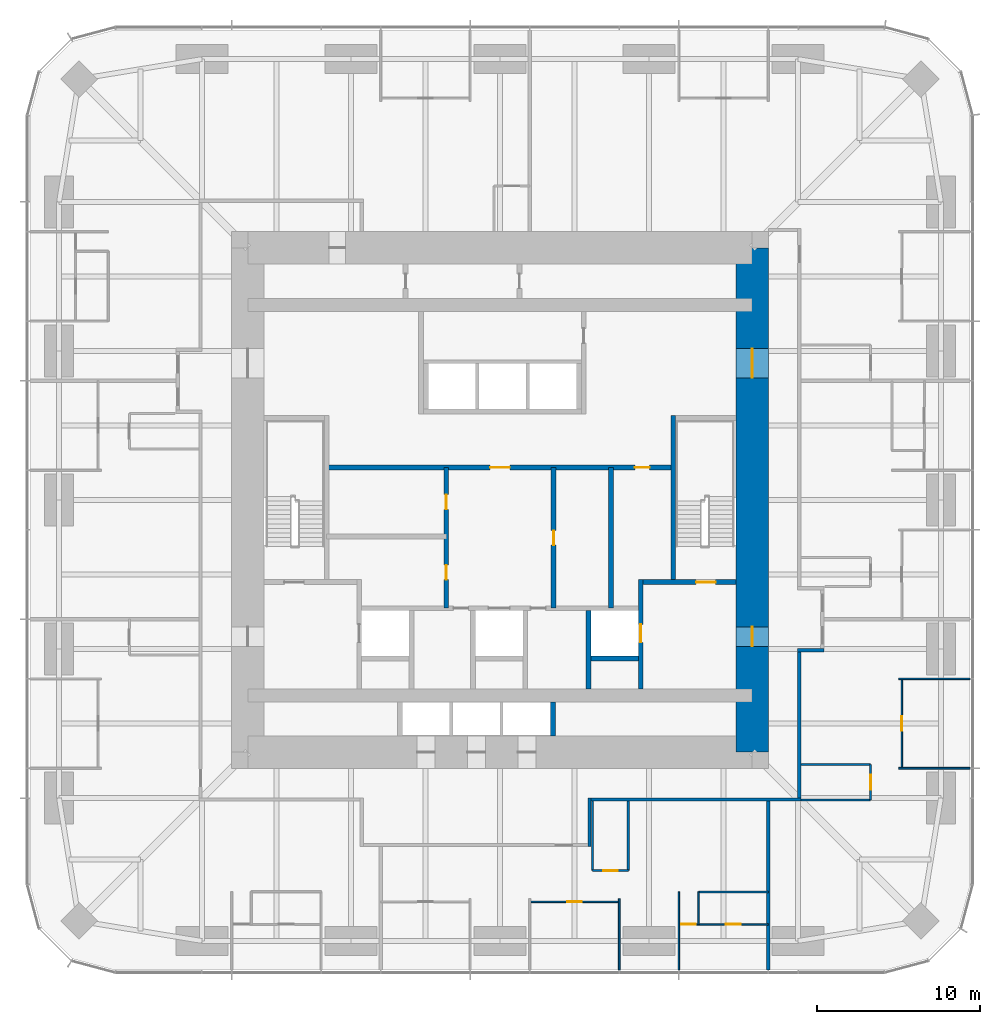
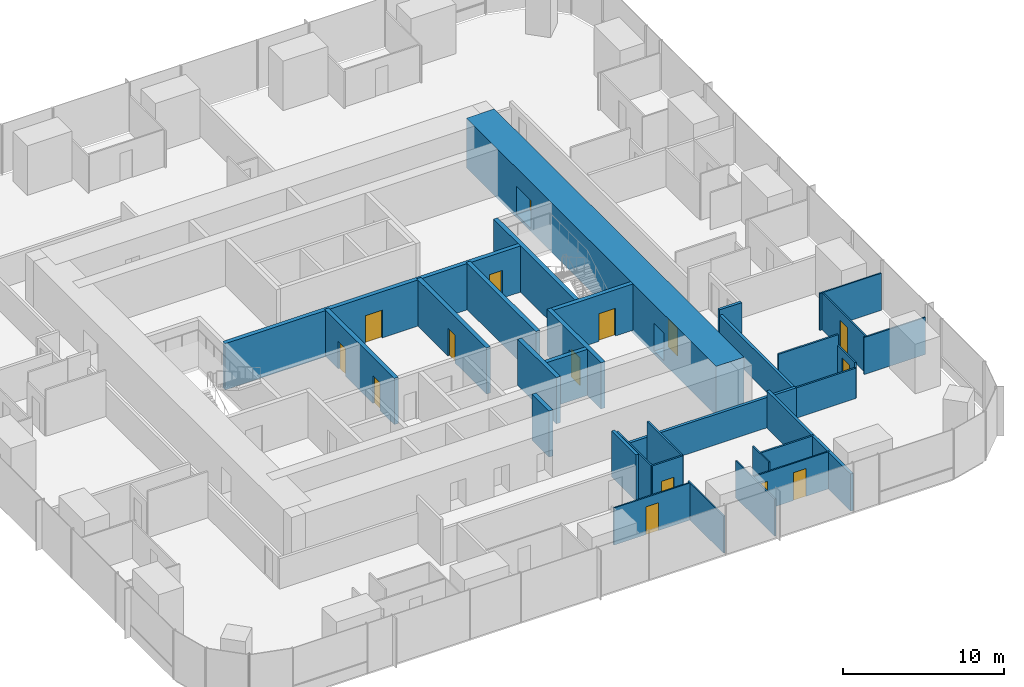
# One storey, part 10 of 13: 31 walls, 15 doors, 15 openings.
"""IFC4 building model written with IfcOpenShell, lengths in metres."""

from ifc_helpers import new_model, si_unit, direction, frame, frame_2d, origin, place, context, subcontext, project, spatial, rectangle, extrude, material, layer, layer_set, type_object, element, fill, save


model = new_model("IFC4")

# Units and contexts
model_context = context("Model", 3, precision=1e-05, world=origin(), true_north=direction((0.0, 1.0)))
body_context = subcontext(model_context, "Body", "Model", "MODEL_VIEW")
ifc_project = project(units=[si_unit("LENGTHUNIT", "METRE"), si_unit("AREAUNIT", "SQUARE_METRE"), si_unit("VOLUMEUNIT", "CUBIC_METRE"), si_unit("PLANEANGLEUNIT", "RADIAN"), si_unit("MASSUNIT", "GRAM", prefix="KILO")], contexts=[model_context])

# Site, building, storey
site_placement = place(None, origin())
site = spatial("IfcSite", under=ifc_project, at=site_placement, CompositionType="ELEMENT")
building_placement = place(site_placement, origin())
building = spatial("IfcBuilding", under=site, at=building_placement, Name="Khuree Lantern Residences", CompositionType="ELEMENT")
storey_placement = place(building_placement, frame((0.0, 0.0, 126.0)))
storey = spatial("IfcBuildingStorey", under=building, at=storey_placement, Name="L31", CompositionType="ELEMENT", Elevation=126.0)

# Wall
ifc_material_1 = material(Name="Moisture-resistant gypsum board on steel studs", Category="steel")
ifc_layer_1 = layer(ifc_material_1, 0.125)
ifc_layer_set_1 = layer_set([ifc_layer_1], Name="BATHROOM WALL BTW125")
wall_type_1 = type_object("IfcWallType", Name="BATHROOM WALL BTW125", PredefinedType="PARTITIONING", material=ifc_layer_set_1)
wall_1_placement = place(storey_placement, frame((12.19189453125, -24.079833984375, 0.0), z_axis=(0.0, 0.0, 1.0), x_axis=(1.0, 0.0, 0.0)))
element("IfcWall", 1, at=wall_1_placement, inside=storey, type_object=wall_type_1, Name="L31 BATHROOM WALL 06", PredefinedType="PARTITIONING", context=body_context, shape_type="SweptSolid", body=[
    extrude(rectangle(XDim=4.296142578125, YDim=0.125, at=frame_2d((2.14794921875, 0.0))), origin(), (0.0, 0.0, 1.0), 2.81005859375),
])

# Wall, opening, door
wall_2_placement = place(storey_placement, frame((5.68359375, -22.77978515625, 0.0), z_axis=(0.0, 0.0, 1.0), x_axis=(1.0, 0.0, 0.0)))
wall_2 = element("IfcWall", 2, at=wall_2_placement, inside=storey, type_object=wall_type_1, Name="L31 BATHROOM WALL 06", PredefinedType="PARTITIONING", context=body_context, shape_type="SweptSolid", body=[
    extrude(rectangle(XDim=2.199951171875, YDim=0.125, at=frame_2d((1.10009765625, 0.0))), origin(), (0.0, 0.0, 1.0), 3.5),
])
opening_1_placement = place(wall_2_placement, frame((0.64990234375, 0.0, 0.0)))
opening_1 = element("IfcOpeningElement", 3, at=opening_1_placement, cuts=wall_2, Name="Opening 31-050", PredefinedType="OPENING", context=body_context, shape_type="SweptSolid", body=[
    extrude(rectangle(XDim=0.89990234375, YDim=2.10009765625, at=frame_2d((0.449951171875, 1.050048828125))), frame((0.0, 0.072509765625, 0.0), z_axis=(0.0, -1.0, 0.0), x_axis=(1.0, 0.0, 0.0)), (0.0, 0.0, 1.0), 0.14501953125),
])
ifc_material_2 = material(Name="Timber door leaf in hardwood frame", Category="wood")
door_type_1 = type_object("IfcDoorType", Name="BATHROOM DOOR 900X2100", OperationType="SINGLE_SWING_LEFT", PredefinedType="DOOR", material=ifc_material_2)
door_1_placement = place(opening_1_placement, origin())
door_1 = element("IfcDoor", 4, at=door_1_placement, inside=storey, type_object=door_type_1, Name="Bathroom door 31-050", OperationType="SINGLE_SWING_LEFT", OverallHeight=2.10009765625, OverallWidth=0.89990234375, PredefinedType="DOOR", context=body_context, shape_type="SweptSolid", body=[
    extrude(rectangle(XDim=0.89990234375, YDim=2.10009765625, at=frame_2d((0.449951171875, 1.050048828125))), frame((0.0, 0.02490234375, 0.0), z_axis=(0.0, -1.0, 0.0), x_axis=(1.0, 0.0, 0.0)), (0.0, 0.0, 1.0), 0.050048828125),
])
fill(opening_1, door_1)

# Walls
for number, where, z_axis, x_axis, name in (
    (5, (5.68359375, -18.5, 0.0), (0.0, 0.0, 1.0), (0.0, -1.0, 0.0), "L31 BATHROOM WALL 06"),
    (6, (7.883544921875, -18.5, 0.0), (0.0, 0.0, 1.0), (0.0, -1.0, 0.0), "L31 BATHROOM WALL 06"),
):
    element("IfcWall", number, at=place(storey_placement, frame(where, z_axis=z_axis, x_axis=x_axis)), inside=storey, type_object=wall_type_1, Name=name, PredefinedType="PARTITIONING", context=body_context, shape_type="SweptSolid", body=[
        extrude(rectangle(XDim=4.27978515625, YDim=0.125, at=frame_2d((2.139892578125, 0.0))), origin(), (0.0, 0.0, 1.0), 3.5),
    ])

# Wall, opening, door
wall_3_placement = place(storey_placement, frame((22.77978515625, -18.449951171875, 0.0), z_axis=(0.0, 0.0, 1.0), x_axis=(0.0, 1.0, 0.0)))
wall_3 = element("IfcWall", 7, at=wall_3_placement, inside=storey, type_object=wall_type_1, Name="L31 BATHROOM WALL 07", PredefinedType="PARTITIONING", context=body_context, shape_type="SweptSolid", body=[
    extrude(rectangle(XDim=2.199951171875, YDim=0.125, at=frame_2d((1.10009765625, 0.0))), origin(), (0.0, 0.0, 1.0), 2.699951171875),
])
opening_2_placement = place(wall_3_placement, frame((0.64990234375, 0.0, 0.0)))
opening_2 = element("IfcOpeningElement", 8, at=opening_2_placement, cuts=wall_3, Name="Opening 31-053", PredefinedType="OPENING", context=body_context, shape_type="SweptSolid", body=[
    extrude(rectangle(XDim=0.89990234375, YDim=2.10009765625, at=frame_2d((0.449951171875, 1.050048828125))), frame((0.0, 0.072509765625, 0.0), z_axis=(0.0, -1.0, 0.0), x_axis=(1.0, 0.0, 0.0)), (0.0, 0.0, 1.0), 0.14501953125),
])
door_2_placement = place(opening_2_placement, origin())
door_2 = element("IfcDoor", 9, at=door_2_placement, inside=storey, type_object=door_type_1, Name="Bathroom door 31-053", OperationType="SINGLE_SWING_LEFT", OverallHeight=2.10009765625, OverallWidth=0.89990234375, PredefinedType="DOOR", context=body_context, shape_type="SweptSolid", body=[
    extrude(rectangle(XDim=0.89990234375, YDim=2.10009765625, at=frame_2d((0.449951171875, 1.050048828125))), frame((0.0, 0.02490234375, 0.0), z_axis=(0.0, -1.0, 0.0), x_axis=(1.0, 0.0, 0.0)), (0.0, 0.0, 1.0), 0.050048828125),
])
fill(opening_2, door_2)

# Walls
wall_4_placement = place(storey_placement, frame((18.5, -18.449951171875, 0.0), z_axis=(0.0, 0.0, 1.0), x_axis=(1.0, 0.0, 0.0)))
element("IfcWall", 10, at=wall_4_placement, inside=storey, type_object=wall_type_1, Name="L31 BATHROOM WALL 07", PredefinedType="PARTITIONING", context=body_context, shape_type="SweptSolid", body=[
    extrude(rectangle(XDim=4.27978515625, YDim=0.125, at=frame_2d((2.139892578125, 0.0))), origin(), (0.0, 0.0, 1.0), 2.300048828125),
])
wall_5_placement = place(storey_placement, frame((18.5, -16.25, 0.0), z_axis=(0.0, 0.0, 1.0), x_axis=(1.0, 0.0, 0.0)))
element("IfcWall", 11, at=wall_5_placement, inside=storey, type_object=wall_type_1, Name="L31 BATHROOM WALL 07", PredefinedType="PARTITIONING", context=body_context, shape_type="SweptSolid", body=[
    extrude(rectangle(XDim=4.27978515625, YDim=0.125, at=frame_2d((2.139892578125, 0.0))), origin(), (0.0, 0.0, 1.0), 3.5),
])

# Wall, opening, door
ifc_material_3 = material(Name="Dense concrete blockwork", Category="masonry")
ifc_layer_2 = layer(ifc_material_3, 0.300048828125)
ifc_layer_set_2 = layer_set([ifc_layer_2], Name="CORE PARTITION WALL CPW300 EI 120")
wall_type_2 = type_object("IfcWallType", Name="CORE PARTITION WALL CPW300 EI 120", PredefinedType="PARTITIONING", material=ifc_layer_set_2)
wall_6_placement = place(storey_placement, frame((8.64990234375, -11.60009765625, 0.0), z_axis=(0.0, 0.0, 1.0), x_axis=(0.0, 1.0, 0.0)))
wall_6 = element("IfcWall", 12, at=wall_6_placement, inside=storey, type_object=wall_type_2, Name="L31 CORE WALL FL2E", PredefinedType="PARTITIONING", context=body_context, shape_type="SweptSolid", body=[
    extrude(rectangle(XDim=6.7001953125, YDim=0.300048828125, at=frame_2d((3.35009765625, 0.0))), origin(), (0.0, 0.0, 1.0), 3.5),
])
opening_3_placement = place(wall_6_placement, frame((2.85009765625, 0.0, 0.0)))
opening_3 = element("IfcOpeningElement", 13, at=opening_3_placement, cuts=wall_6, Name="Opening 31-008", PredefinedType="OPENING", context=body_context, shape_type="SweptSolid", body=[
    extrude(rectangle(XDim=1.10009765625, YDim=2.10009765625, at=frame_2d((0.550048828125, 1.050048828125))), frame((0.0, 0.16015625, 0.0), z_axis=(0.0, -1.0, 0.0), x_axis=(1.0, 0.0, 0.0)), (0.0, 0.0, 1.0), 0.320068359375),
])
ifc_material_4 = material(Name="Stainless steel lift landing door", Category="steel")
door_type_2 = type_object("IfcDoorType", Name="LIFT LANDING DOOR 1100X2100 E 120", OperationType="DOUBLE_DOOR_SLIDING", PredefinedType="DOOR", material=ifc_material_4)
door_3_placement = place(opening_3_placement, origin())
door_3 = element("IfcDoor", 14, at=door_3_placement, inside=storey, type_object=door_type_2, Name="Landing door FL2 31-008", OperationType="DOUBLE_DOOR_SLIDING", OverallHeight=2.10009765625, OverallWidth=1.10009765625, PredefinedType="DOOR", context=body_context, shape_type="SweptSolid", body=[
    extrude(rectangle(XDim=1.10009765625, YDim=2.10009765625, at=frame_2d((0.550048828125, 1.050048828125))), frame((0.0, 0.02490234375, 0.0), z_axis=(0.0, -1.0, 0.0), x_axis=(1.0, 0.0, 0.0)), (0.0, 0.0, 1.0), 0.050048828125),
])
fill(opening_3, door_3)

# Walls
wall_7_placement = place(storey_placement, frame((5.449951171875, -11.60009765625, 0.0), z_axis=(0.0, 0.0, 1.0), x_axis=(0.0, 1.0, 0.0)))
element("IfcWall", 15, at=wall_7_placement, inside=storey, type_object=wall_type_2, Name="L31 CORE WALL FL2W", PredefinedType="PARTITIONING", context=body_context, shape_type="SweptSolid", body=[
    extrude(rectangle(XDim=4.800048828125, YDim=0.300048828125, at=frame_2d((2.39990234375, 0.0))), origin(), (0.0, 0.0, 1.0), 3.5),
])
wall_8_placement = place(storey_placement, frame((5.60009765625, -9.75, 0.0), z_axis=(0.0, 0.0, 1.0), x_axis=(1.0, 0.0, 0.0)))
element("IfcWall", 16, at=wall_8_placement, inside=storey, type_object=wall_type_2, Name="L31 CORE WALL FL2S", PredefinedType="PARTITIONING", context=body_context, shape_type="SweptSolid", body=[
    extrude(rectangle(XDim=2.89990234375, YDim=0.300048828125, at=frame_2d((1.449951171875, 0.0))), origin(), (0.0, 0.0, 1.0), 3.5),
])
wall_9_placement = place(storey_placement, frame((3.25, -14.5, 0.0), z_axis=(0.0, 0.0, 1.0), x_axis=(0.0, 1.0, 0.0)))
element("IfcWall", 17, at=wall_9_placement, inside=storey, type_object=wall_type_2, Name="L31 CORE WALL PME", PredefinedType="PARTITIONING", context=body_context, shape_type="SweptSolid", body=[
    extrude(rectangle(XDim=2.10009765625, YDim=0.300048828125, at=frame_2d((1.050048828125, 0.0))), origin(), (0.0, 0.0, 1.0), 3.5),
])

# Wall, openings, doors
wall_10_placement = place(storey_placement, frame((-10.64990234375, 2.0, 0.0), z_axis=(0.0, 0.0, 1.0), x_axis=(1.0, 0.0, 0.0)))
wall_10 = element("IfcWall", 18, at=wall_10_placement, inside=storey, type_object=wall_type_2, Name="L31 CORE WALL LLS", PredefinedType="PARTITIONING", context=body_context, shape_type="SweptSolid", body=[
    extrude(rectangle(XDim=21.2998046875, YDim=0.300048828125, at=frame_2d((10.64990234375, 0.0))), origin(), (0.0, 0.0, 1.0), 3.5),
])
opening_4_placement = place(wall_10_placement, frame((10.050048828125, 0.0, 0.0)))
opening_4 = element("IfcOpeningElement", 19, at=opening_4_placement, cuts=wall_10, Name="Opening 31-013", PredefinedType="OPENING", context=body_context, shape_type="SweptSolid", body=[
    extrude(rectangle(XDim=1.199951171875, YDim=2.10009765625, at=frame_2d((0.60009765625, 1.050048828125))), frame((0.0, 0.16015625, 0.0), z_axis=(0.0, -1.0, 0.0), x_axis=(1.0, 0.0, 0.0)), (0.0, 0.0, 1.0), 0.320068359375),
])
opening_5_placement = place(wall_10_placement, frame((18.94189453125, 0.0, 0.0)))
opening_5 = element("IfcOpeningElement", 20, at=opening_5_placement, cuts=wall_10, Name="Opening 31-019", PredefinedType="OPENING", context=body_context, shape_type="SweptSolid", body=[
    extrude(rectangle(XDim=0.89990234375, YDim=2.10009765625, at=frame_2d((0.449951171875, 1.050048828125))), frame((0.0, 0.16015625, 0.0), z_axis=(0.0, -1.0, 0.0), x_axis=(1.0, 0.0, 0.0)), (0.0, 0.0, 1.0), 0.320068359375),
])
ifc_material_5 = material(Name="Steel door leaf in steel frame", Category="steel")
door_type_3 = type_object("IfcDoorType", Name="DOOR 1200X2100 EI 60", OperationType="SINGLE_SWING_LEFT", PredefinedType="DOOR", material=ifc_material_5)
door_4_placement = place(opening_4_placement, origin())
door_4 = element("IfcDoor", 21, at=door_4_placement, inside=storey, type_object=door_type_3, Name="Service lift lobby door 31-013", OperationType="SINGLE_SWING_LEFT", OverallHeight=2.10009765625, OverallWidth=1.199951171875, PredefinedType="DOOR", context=body_context, shape_type="SweptSolid", body=[
    extrude(rectangle(XDim=1.199951171875, YDim=2.10009765625, at=frame_2d((0.60009765625, 1.050048828125))), frame((0.0, 0.02490234375, 0.0), z_axis=(0.0, -1.0, 0.0), x_axis=(1.0, 0.0, 0.0)), (0.0, 0.0, 1.0), 0.050048828125),
])
fill(opening_4, door_4)
door_type_4 = type_object("IfcDoorType", Name="DOOR 900X2100 RIGHT HAND", OperationType="SINGLE_SWING_RIGHT", PredefinedType="DOOR", material=ifc_material_2)
door_5_placement = place(opening_5_placement, origin())
door_5 = element("IfcDoor", 22, at=door_5_placement, inside=storey, type_object=door_type_4, Name="Residents' store door 31-019", OperationType="SINGLE_SWING_RIGHT", OverallHeight=2.10009765625, OverallWidth=0.89990234375, PredefinedType="DOOR", context=body_context, shape_type="SweptSolid", body=[
    extrude(rectangle(XDim=0.89990234375, YDim=2.10009765625, at=frame_2d((0.449951171875, 1.050048828125))), frame((0.0, 0.02490234375, 0.0), z_axis=(0.0, -1.0, 0.0), x_axis=(1.0, 0.0, 0.0)), (0.0, 0.0, 1.0), 0.050048828125),
])
fill(opening_5, door_5)

wall_11_placement = place(storey_placement, frame((-3.300048828125, -6.64990234375, 0.0), z_axis=(0.0, 0.0, 1.0), x_axis=(0.0, 1.0, 0.0)))
wall_11 = element("IfcWall", 23, at=wall_11_placement, inside=storey, type_object=wall_type_2, Name="L31 CORE WALL SVW", PredefinedType="PARTITIONING", context=body_context, shape_type="SweptSolid", body=[
    extrude(rectangle(XDim=8.64990234375, YDim=0.300048828125, at=frame_2d((4.324951171875, 0.0))), origin(), (0.0, 0.0, 1.0), 3.5),
])
opening_6_placement = place(wall_11_placement, frame((1.75, 0.0, 0.0)))
opening_6 = element("IfcOpeningElement", 24, at=opening_6_placement, cuts=wall_11, Name="Opening 31-016", PredefinedType="OPENING", context=body_context, shape_type="SweptSolid", body=[
    extrude(rectangle(XDim=0.89990234375, YDim=2.10009765625, at=frame_2d((0.449951171875, 1.050048828125))), frame((0.0, 0.16015625, 0.0), z_axis=(0.0, -1.0, 0.0), x_axis=(1.0, 0.0, 0.0)), (0.0, 0.0, 1.0), 0.320068359375),
])
opening_7_placement = place(wall_11_placement, frame((6.074951171875, 0.0, 0.0)))
opening_7 = element("IfcOpeningElement", 25, at=opening_7_placement, cuts=wall_11, Name="Opening 31-017", PredefinedType="OPENING", context=body_context, shape_type="SweptSolid", body=[
    extrude(rectangle(XDim=0.89990234375, YDim=2.10009765625, at=frame_2d((0.449951171875, 1.050048828125))), frame((0.0, 0.16015625, 0.0), z_axis=(0.0, -1.0, 0.0), x_axis=(1.0, 0.0, 0.0)), (0.0, 0.0, 1.0), 0.320068359375),
])
door_type_5 = type_object("IfcDoorType", Name="DOOR 900X2100", OperationType="SINGLE_SWING_LEFT", PredefinedType="DOOR", material=ifc_material_2)
door_6_placement = place(opening_6_placement, origin())
door_6 = element("IfcDoor", 26, at=door_6_placement, inside=storey, type_object=door_type_5, Name="Residents' store door 31-016", OperationType="SINGLE_SWING_LEFT", OverallHeight=2.10009765625, OverallWidth=0.89990234375, PredefinedType="DOOR", context=body_context, shape_type="SweptSolid", body=[
    extrude(rectangle(XDim=0.89990234375, YDim=2.10009765625, at=frame_2d((0.449951171875, 1.050048828125))), frame((0.0, 0.02490234375, 0.0), z_axis=(0.0, -1.0, 0.0), x_axis=(1.0, 0.0, 0.0)), (0.0, 0.0, 1.0), 0.050048828125),
])
fill(opening_6, door_6)
door_7_placement = place(opening_7_placement, origin())
door_7 = element("IfcDoor", 27, at=door_7_placement, inside=storey, type_object=door_type_5, Name="Residents' store door 31-017", OperationType="SINGLE_SWING_LEFT", OverallHeight=2.10009765625, OverallWidth=0.89990234375, PredefinedType="DOOR", context=body_context, shape_type="SweptSolid", body=[
    extrude(rectangle(XDim=0.89990234375, YDim=2.10009765625, at=frame_2d((0.449951171875, 1.050048828125))), frame((0.0, 0.02490234375, 0.0), z_axis=(0.0, -1.0, 0.0), x_axis=(1.0, 0.0, 0.0)), (0.0, 0.0, 1.0), 0.050048828125),
])
fill(opening_7, door_7)

# Wall, opening, door
wall_12_placement = place(storey_placement, frame((3.300048828125, -6.64990234375, 0.0), z_axis=(0.0, 0.0, 1.0), x_axis=(0.0, 1.0, 0.0)))
wall_12 = element("IfcWall", 28, at=wall_12_placement, inside=storey, type_object=wall_type_2, Name="L31 CORE WALL SVE", PredefinedType="PARTITIONING", context=body_context, shape_type="SweptSolid", body=[
    extrude(rectangle(XDim=8.64990234375, YDim=0.300048828125, at=frame_2d((4.324951171875, 0.0))), origin(), (0.0, 0.0, 1.0), 3.5),
])
opening_8_placement = place(wall_12_placement, frame((3.875, 0.0, 0.0)))
opening_8 = element("IfcOpeningElement", 29, at=opening_8_placement, cuts=wall_12, Name="Opening 31-018", PredefinedType="OPENING", context=body_context, shape_type="SweptSolid", body=[
    extrude(rectangle(XDim=0.89990234375, YDim=2.10009765625, at=frame_2d((0.449951171875, 1.050048828125))), frame((0.0, 0.16015625, 0.0), z_axis=(0.0, -1.0, 0.0), x_axis=(1.0, 0.0, 0.0)), (0.0, 0.0, 1.0), 0.320068359375),
])
door_8_placement = place(opening_8_placement, origin())
door_8 = element("IfcDoor", 30, at=door_8_placement, inside=storey, type_object=door_type_5, Name="Residents' store door 31-018", OperationType="SINGLE_SWING_LEFT", OverallHeight=2.10009765625, OverallWidth=0.89990234375, PredefinedType="DOOR", context=body_context, shape_type="SweptSolid", body=[
    extrude(rectangle(XDim=0.89990234375, YDim=2.10009765625, at=frame_2d((0.449951171875, 1.050048828125))), frame((0.0, 0.02490234375, 0.0), z_axis=(0.0, -1.0, 0.0), x_axis=(1.0, 0.0, 0.0)), (0.0, 0.0, 1.0), 0.050048828125),
])
fill(opening_8, door_8)

# Walls
wall_13_placement = place(storey_placement, frame((6.833984375, -6.64990234375, 0.0), z_axis=(0.0, 0.0, 1.0), x_axis=(0.0, 1.0, 0.0)))
element("IfcWall", 31, at=wall_13_placement, inside=storey, type_object=wall_type_2, Name="L31 CORE WALL EV", PredefinedType="PARTITIONING", context=body_context, shape_type="SweptSolid", body=[
    extrude(rectangle(XDim=8.64990234375, YDim=0.300048828125, at=frame_2d((4.324951171875, 0.0))), origin(), (0.0, 0.0, 1.0), 3.5),
])
ifc_material_6 = material(Name="Gypsum board on steel studs", Category="steel")
ifc_layer_3 = layer(ifc_material_6, 0.199951171875)
ifc_layer_set_3 = layer_set([ifc_layer_3], Name="CORRIDOR WALL CRW200 EI 60")
wall_type_3 = type_object("IfcWallType", Name="CORRIDOR WALL CRW200 EI 60", PredefinedType="PARTITIONING", material=ifc_layer_set_3)
wall_14_placement = place(storey_placement, frame((18.39990234375, -18.300048828125, 0.0), z_axis=(0.0, 0.0, 1.0), x_axis=(0.0, 1.0, 0.0)))
element("IfcWall", 32, at=wall_14_placement, inside=storey, type_object=wall_type_3, Name="L31 CORRIDOR WALL EAST 1", PredefinedType="PARTITIONING", context=body_context, shape_type="SweptSolid", body=[
    extrude(rectangle(XDim=8.97216796875, YDim=0.199951171875, at=frame_2d((4.486083984375, 0.0))), origin(), (0.0, 0.0, 1.0), 2.300048828125),
])
wall_15_placement = place(storey_placement, frame((18.300048828125, -9.22802734375, 0.0), z_axis=(0.0, 0.0, 1.0), x_axis=(1.0, 0.0, 0.0)))
element("IfcWall", 33, at=wall_15_placement, inside=storey, type_object=wall_type_3, Name="L31 CORRIDOR ALCOVE WALL EAST", PredefinedType="PARTITIONING", context=body_context, shape_type="SweptSolid", body=[
    extrude(rectangle(XDim=1.599853515625, YDim=0.199951171875, at=frame_2d((0.7998046875, 0.0))), origin(), (0.0, 0.0, 1.0), 2.699951171875),
])
wall_16_placement = place(storey_placement, frame((18.5, -18.39990234375, 0.0), z_axis=(0.0, 0.0, 1.0), x_axis=(-1.0, 0.0, 0.0)))
element("IfcWall", 34, at=wall_16_placement, inside=storey, type_object=wall_type_3, Name="L31 CORRIDOR WALL SOUTH 1", PredefinedType="PARTITIONING", context=body_context, shape_type="SweptSolid", body=[
    extrude(rectangle(XDim=12.89990234375, YDim=0.199951171875, at=frame_2d((6.449951171875, 0.0))), origin(), (0.0, 0.0, 1.0), 2.300048828125),
])
wall_17_placement = place(storey_placement, frame((5.5, -18.300048828125, 0.0), z_axis=(0.0, 0.0, 1.0), x_axis=(0.0, -1.0, 0.0)))
element("IfcWall", 35, at=wall_17_placement, inside=storey, type_object=wall_type_3, Name="L31 LIFT LOBBY WALL", PredefinedType="PARTITIONING", context=body_context, shape_type="SweptSolid", body=[
    extrude(rectangle(XDim=3.0, YDim=0.199951171875, at=frame_2d((1.5, 0.0))), origin(), (0.0, 0.0, 1.0), 3.5),
])

# Wall, openings, doors
ifc_material_7 = material(Name="Concrete C70/85", Category="concrete")
ifc_layer_4 = layer(ifc_material_7, 2.0)
ifc_layer_set_4 = layer_set([ifc_layer_4], Name="CW2000-C70 CORE WALL C70 2000")
wall_type_4 = type_object("IfcWallType", Name="CW2000-C70 CORE WALL C70 2000", PredefinedType="SHEAR", material=ifc_layer_set_4)
wall_18_placement = place(storey_placement, frame((15.5, -15.5, -0.25), z_axis=(0.0, 0.0, 1.0), x_axis=(0.0, 1.0, 0.0)))
wall_18 = element("IfcWall", 36, at=wall_18_placement, inside=storey, type_object=wall_type_4, Name="Core wall E", PredefinedType="SHEAR", context=body_context, shape_type="SweptSolid", body=[
    extrude(rectangle(XDim=31.0, YDim=2.0, at=frame_2d((15.5, 0.0))), origin(), (0.0, 0.0, 1.0), 3.75),
])
opening_9_placement = place(wall_18_placement, frame((6.5, 0.0, 0.25)))
opening_9 = element("IfcOpeningElement", 37, at=opening_9_placement, cuts=wall_18, Name="Opening 31-005", PredefinedType="OPENING", context=body_context, shape_type="SweptSolid", body=[
    extrude(rectangle(XDim=1.199951171875, YDim=2.10009765625, at=frame_2d((0.60009765625, 1.050048828125))), frame((0.0, 1.010009765625, 0.0), z_axis=(0.0, -1.0, 0.0), x_axis=(1.0, 0.0, 0.0)), (0.0, 0.0, 1.0), 2.02001953125),
])
opening_10_placement = place(wall_18_placement, frame((23.0, 0.0, 0.25)))
opening_10 = element("IfcOpeningElement", 38, at=opening_10_placement, cuts=wall_18, Name="Opening 31-006", PredefinedType="OPENING", context=body_context, shape_type="SweptSolid", body=[
    extrude(rectangle(XDim=1.800048828125, YDim=2.10009765625, at=frame_2d((0.89990234375, 1.050048828125))), frame((0.0, 1.010009765625, 0.0), z_axis=(0.0, -1.0, 0.0), x_axis=(1.0, 0.0, 0.0)), (0.0, 0.0, 1.0), 2.02001953125),
])
door_type_6 = type_object("IfcDoorType", Name="LOBBY DOOR 1200X2100 EI 120", OperationType="SINGLE_SWING_LEFT", PredefinedType="DOOR", material=ifc_material_5)
door_9_placement = place(opening_9_placement, origin())
door_9 = element("IfcDoor", 39, at=door_9_placement, inside=storey, type_object=door_type_6, Name="Firefighting lobby door 31-005", OperationType="SINGLE_SWING_LEFT", OverallHeight=2.10009765625, OverallWidth=1.199951171875, PredefinedType="DOOR", context=body_context, shape_type="SweptSolid", body=[
    extrude(rectangle(XDim=1.199951171875, YDim=2.10009765625, at=frame_2d((0.60009765625, 1.050048828125))), frame((0.0, 0.02490234375, 0.0), z_axis=(0.0, -1.0, 0.0), x_axis=(1.0, 0.0, 0.0)), (0.0, 0.0, 1.0), 0.050048828125),
])
fill(opening_9, door_9)
door_type_7 = type_object("IfcDoorType", Name="LOBBY DOUBLE DOOR 1800X2100 EI 60", OperationType="DOUBLE_DOOR_SINGLE_SWING", PredefinedType="DOOR", material=ifc_material_5)
door_10_placement = place(opening_10_placement, origin())
door_10 = element("IfcDoor", 40, at=door_10_placement, inside=storey, type_object=door_type_7, Name="Lift lobby door 31-006", OperationType="DOUBLE_DOOR_SINGLE_SWING", OverallHeight=2.10009765625, OverallWidth=1.800048828125, PredefinedType="DOOR", context=body_context, shape_type="SweptSolid", body=[
    extrude(rectangle(XDim=1.800048828125, YDim=2.10009765625, at=frame_2d((0.89990234375, 1.050048828125))), frame((0.0, 0.02490234375, 0.0), z_axis=(0.0, -1.0, 0.0), x_axis=(1.0, 0.0, 0.0)), (0.0, 0.0, 1.0), 0.050048828125),
])
fill(opening_10, door_10)

# Walls
ifc_layer_5 = layer(ifc_material_6, 0.199951171875)
ifc_layer_set_5 = layer_set([ifc_layer_5], Name="DEMISING WALL DMW200 EI 90")
wall_type_5 = type_object("IfcWallType", Name="DEMISING WALL DMW200 EI 90", PredefinedType="PARTITIONING", material=ifc_layer_set_5)
wall_19_placement = place(storey_placement, frame((16.488037109375, -18.5, 0.0), z_axis=(0.0, 0.0, 1.0), x_axis=(0.0, -1.0, 0.0)))
element("IfcWall", 41, at=wall_19_placement, inside=storey, type_object=wall_type_5, Name="L31 DEMISING WALL 07", PredefinedType="PARTITIONING", context=body_context, shape_type="SweptSolid", body=[
    extrude(rectangle(XDim=10.39990234375, YDim=0.199951171875, at=frame_2d((5.199951171875, 0.0))), origin(), (0.0, 0.0, 1.0), 2.81005859375),
])
ifc_layer_6 = layer(ifc_material_6, 0.10009765625)
ifc_layer_set_6 = layer_set([ifc_layer_6], Name="PARTITION PT100")
wall_type_6 = type_object("IfcWallType", Name="PARTITION PT100", PredefinedType="PARTITIONING", material=ifc_layer_set_6)
wall_20_placement = place(storey_placement, frame((7.327880859375, -24.5, 0.0), z_axis=(0.0, 0.0, 1.0), x_axis=(0.0, -1.0, 0.0)))
element("IfcWall", 42, at=wall_20_placement, inside=storey, type_object=wall_type_6, Name="L31 PARTITION 06", PredefinedType="PARTITIONING", context=body_context, shape_type="SweptSolid", body=[
    extrude(rectangle(XDim=4.39990234375, YDim=0.10009765625, at=frame_2d((2.199951171875, 0.0))), origin(), (0.0, 0.0, 1.0), 2.81005859375),
])
wall_21_placement = place(storey_placement, frame((10.991943359375, -24.079833984375, 0.0), z_axis=(0.0, 0.0, 1.0), x_axis=(0.0, -1.0, 0.0)))
element("IfcWall", 43, at=wall_21_placement, inside=storey, type_object=wall_type_6, Name="L31 PARTITION 06", PredefinedType="PARTITIONING", context=body_context, shape_type="SweptSolid", body=[
    extrude(rectangle(XDim=4.820068359375, YDim=0.10009765625, at=frame_2d((2.41015625, 0.0))), origin(), (0.0, 0.0, 1.0), 2.81005859375),
])
for number, where, z_axis, x_axis, name in (
    (44, (24.5, -16.488037109375, 0.0), (0.0, 0.0, 1.0), (1.0, 0.0, 0.0), "L31 PARTITION 07"),
    (45, (24.5, -10.991943359375, 0.0), (0.0, 0.0, 1.0), (1.0, 0.0, 0.0), "L31 PARTITION 07"),
):
    element("IfcWall", number, at=place(storey_placement, frame(where, z_axis=z_axis, x_axis=x_axis)), inside=storey, type_object=wall_type_6, Name=name, PredefinedType="PARTITIONING", context=body_context, shape_type="SweptSolid", body=[
        extrude(rectangle(XDim=4.39990234375, YDim=0.10009765625, at=frame_2d((2.199951171875, 0.0))), origin(), (0.0, 0.0, 1.0), 2.81005859375),
    ])

# Wall, opening, door
wall_22_placement = place(storey_placement, frame((1.83203125, -24.699951171875, 0.0), z_axis=(0.0, 0.0, 1.0), x_axis=(1.0, 0.0, 0.0)))
wall_22 = element("IfcWall", 46, at=wall_22_placement, inside=storey, type_object=wall_type_6, Name="L31 PARTITION 06", PredefinedType="PARTITIONING", context=body_context, shape_type="SweptSolid", body=[
    extrude(rectangle(XDim=5.495849609375, YDim=0.10009765625, at=frame_2d((2.748046875, 0.0))), origin(), (0.0, 0.0, 1.0), 2.81005859375),
])
opening_11_placement = place(wall_22_placement, frame((2.298095703125, 0.0, 0.0)))
opening_11 = element("IfcOpeningElement", 47, at=opening_11_placement, cuts=wall_22, Name="Opening 31-047", PredefinedType="OPENING", context=body_context, shape_type="SweptSolid", body=[
    extrude(rectangle(XDim=0.89990234375, YDim=2.10009765625, at=frame_2d((0.449951171875, 1.050048828125))), frame((0.0, 0.06005859375, 0.0), z_axis=(0.0, -1.0, 0.0), x_axis=(1.0, 0.0, 0.0)), (0.0, 0.0, 1.0), 0.1201171875),
])
door_type_8 = type_object("IfcDoorType", Name="BEDROOM DOOR 900X2100", OperationType="SINGLE_SWING_LEFT", PredefinedType="DOOR", material=ifc_material_2)
door_11_placement = place(opening_11_placement, origin())
door_11 = element("IfcDoor", 48, at=door_11_placement, inside=storey, type_object=door_type_8, Name="Bedroom door 31-047", OperationType="SINGLE_SWING_LEFT", OverallHeight=2.10009765625, OverallWidth=0.89990234375, PredefinedType="DOOR", context=body_context, shape_type="SweptSolid", body=[
    extrude(rectangle(XDim=0.89990234375, YDim=2.10009765625, at=frame_2d((0.449951171875, 1.050048828125))), frame((0.0, 0.02490234375, 0.0), z_axis=(0.0, -1.0, 0.0), x_axis=(1.0, 0.0, 0.0)), (0.0, 0.0, 1.0), 0.050048828125),
])
fill(opening_11, door_11)

# Wall, openings, doors
wall_23_placement = place(storey_placement, frame((10.991943359375, -26.079833984375, 0.0), z_axis=(0.0, 0.0, 1.0), x_axis=(1.0, 0.0, 0.0)))
wall_23 = element("IfcWall", 49, at=wall_23_placement, inside=storey, type_object=wall_type_6, Name="L31 PARTITION 06", PredefinedType="PARTITIONING", context=body_context, shape_type="SweptSolid", body=[
    extrude(rectangle(XDim=5.49609375, YDim=0.10009765625, at=frame_2d((2.748046875, 0.0))), origin(), (0.0, 0.0, 1.0), 2.81005859375),
])
opening_12_placement = place(wall_23_placement, frame((0.14990234375, 0.0, 0.0)))
opening_12 = element("IfcOpeningElement", 50, at=opening_12_placement, cuts=wall_23, Name="Opening 31-048", PredefinedType="OPENING", context=body_context, shape_type="SweptSolid", body=[
    extrude(rectangle(XDim=0.89990234375, YDim=2.10009765625, at=frame_2d((0.449951171875, 1.050048828125))), frame((0.0, 0.06005859375, 0.0), z_axis=(0.0, -1.0, 0.0), x_axis=(1.0, 0.0, 0.0)), (0.0, 0.0, 1.0), 0.1201171875),
])
opening_13_placement = place(wall_23_placement, frame((2.89794921875, 0.0, 0.0)))
opening_13 = element("IfcOpeningElement", 51, at=opening_13_placement, cuts=wall_23, Name="Opening 31-049", PredefinedType="OPENING", context=body_context, shape_type="SweptSolid", body=[
    extrude(rectangle(XDim=0.89990234375, YDim=2.10009765625, at=frame_2d((0.449951171875, 1.050048828125))), frame((0.0, 0.06005859375, 0.0), z_axis=(0.0, -1.0, 0.0), x_axis=(1.0, 0.0, 0.0)), (0.0, 0.0, 1.0), 0.1201171875),
])
door_type_9 = type_object("IfcDoorType", Name="BATHROOM DOOR 900X2100 RIGHT HAND", OperationType="SINGLE_SWING_RIGHT", PredefinedType="DOOR", material=ifc_material_2)
door_12_placement = place(opening_13_placement, origin())
door_12 = element("IfcDoor", 52, at=door_12_placement, inside=storey, type_object=door_type_9, Name="Bathroom door 31-049", OperationType="SINGLE_SWING_RIGHT", OverallHeight=2.10009765625, OverallWidth=0.89990234375, PredefinedType="DOOR", context=body_context, shape_type="SweptSolid", body=[
    extrude(rectangle(XDim=0.89990234375, YDim=2.10009765625, at=frame_2d((0.449951171875, 1.050048828125))), frame((0.0, 0.02490234375, 0.0), z_axis=(0.0, -1.0, 0.0), x_axis=(1.0, 0.0, 0.0)), (0.0, 0.0, 1.0), 0.050048828125),
])
fill(opening_13, door_12)
door_13_placement = place(opening_12_placement, origin())
door_13 = element("IfcDoor", 53, at=door_13_placement, inside=storey, type_object=door_type_8, Name="Bedroom door 31-048", OperationType="SINGLE_SWING_LEFT", OverallHeight=2.10009765625, OverallWidth=0.89990234375, PredefinedType="DOOR", context=body_context, shape_type="SweptSolid", body=[
    extrude(rectangle(XDim=0.89990234375, YDim=2.10009765625, at=frame_2d((0.449951171875, 1.050048828125))), frame((0.0, 0.02490234375, 0.0), z_axis=(0.0, -1.0, 0.0), x_axis=(1.0, 0.0, 0.0)), (0.0, 0.0, 1.0), 0.050048828125),
])
fill(opening_12, door_13)

# Wall
wall_24_placement = place(storey_placement, frame((12.19189453125, -24.079833984375, 0.0), z_axis=(0.0, 0.0, 1.0), x_axis=(0.0, -1.0, 0.0)))
element("IfcWall", 54, at=wall_24_placement, inside=storey, type_object=wall_type_6, Name="L31 PARTITION 06", PredefinedType="PARTITIONING", context=body_context, shape_type="SweptSolid", body=[
    extrude(rectangle(XDim=2.0, YDim=0.10009765625, at=frame_2d((1.0, 0.0))), origin(), (0.0, 0.0, 1.0), 3.5),
])

# Wall, opening, door
wall_25_placement = place(storey_placement, frame((24.699951171875, -16.488037109375, 0.0), z_axis=(0.0, 0.0, 1.0), x_axis=(0.0, 1.0, 0.0)))
wall_25 = element("IfcWall", 55, at=wall_25_placement, inside=storey, type_object=wall_type_6, Name="L31 PARTITION 07", PredefinedType="PARTITIONING", context=body_context, shape_type="SweptSolid", body=[
    extrude(rectangle(XDim=5.49609375, YDim=0.10009765625, at=frame_2d((2.748046875, 0.0))), origin(), (0.0, 0.0, 1.0), 2.81005859375),
])
opening_14_placement = place(wall_25_placement, frame((2.298095703125, 0.0, 0.0)))
opening_14 = element("IfcOpeningElement", 56, at=opening_14_placement, cuts=wall_25, Name="Opening 31-052", PredefinedType="OPENING", context=body_context, shape_type="SweptSolid", body=[
    extrude(rectangle(XDim=0.89990234375, YDim=2.10009765625, at=frame_2d((0.449951171875, 1.050048828125))), frame((0.0, 0.06005859375, 0.0), z_axis=(0.0, -1.0, 0.0), x_axis=(1.0, 0.0, 0.0)), (0.0, 0.0, 1.0), 0.1201171875),
])
door_14_placement = place(opening_14_placement, origin())
door_14 = element("IfcDoor", 57, at=door_14_placement, inside=storey, type_object=door_type_8, Name="Bedroom door 31-052", OperationType="SINGLE_SWING_LEFT", OverallHeight=2.10009765625, OverallWidth=0.89990234375, PredefinedType="DOOR", context=body_context, shape_type="SweptSolid", body=[
    extrude(rectangle(XDim=0.89990234375, YDim=2.10009765625, at=frame_2d((0.449951171875, 1.050048828125))), frame((0.0, 0.02490234375, 0.0), z_axis=(0.0, -1.0, 0.0), x_axis=(1.0, 0.0, 0.0)), (0.0, 0.0, 1.0), 0.050048828125),
])
fill(opening_14, door_14)

# Wall
ifc_material_8 = material(Name="Concrete C50/60", Category="concrete")
ifc_layer_7 = layer(ifc_material_8, 0.300048828125)
ifc_layer_set_7 = layer_set([ifc_layer_7], Name="STAIR WALL SRW300 C50/60 REI 240")
wall_type_7 = type_object("IfcWallType", Name="STAIR WALL SRW300 C50/60 REI 240", PredefinedType="SOLIDWALL", material=ifc_layer_set_7)
wall_26_placement = place(storey_placement, frame((10.64990234375, -4.89990234375, 0.0), z_axis=(0.0, 0.0, 1.0), x_axis=(0.0, 1.0, 0.0)))
element("IfcWall", 58, at=wall_26_placement, inside=storey, type_object=wall_type_7, Name="L31 STAIR WALL ST2E", PredefinedType="SOLIDWALL", context=body_context, shape_type="SweptSolid", body=[
    extrude(rectangle(XDim=10.099853515625, YDim=0.300048828125, at=frame_2d((5.0498046875, 0.0))), origin(), (0.0, 0.0, 1.0), 3.5),
])

# Wall, opening, door
wall_27_placement = place(storey_placement, frame((14.5, -5.050048828125, 0.0), z_axis=(0.0, 0.0, 1.0), x_axis=(-1.0, 0.0, 0.0)))
wall_27 = element("IfcWall", 59, at=wall_27_placement, inside=storey, type_object=wall_type_7, Name="L31 STAIR WALL ST2S", PredefinedType="SOLIDWALL", context=body_context, shape_type="SweptSolid", body=[
    extrude(rectangle(XDim=5.699951171875, YDim=0.300048828125, at=frame_2d((2.85009765625, 0.0))), origin(), (0.0, 0.0, 1.0), 3.5),
])
opening_15_placement = place(wall_27_placement, frame((1.25, 0.0, 0.0)))
opening_15 = element("IfcOpeningElement", 60, at=opening_15_placement, cuts=wall_27, Name="Opening 31-004", PredefinedType="OPENING", context=body_context, shape_type="SweptSolid", body=[
    extrude(rectangle(XDim=1.199951171875, YDim=2.10009765625, at=frame_2d((0.60009765625, 1.050048828125))), frame((0.0, 0.16015625, 0.0), z_axis=(0.0, -1.0, 0.0), x_axis=(1.0, 0.0, 0.0)), (0.0, 0.0, 1.0), 0.320068359375),
])
door_type_10 = type_object("IfcDoorType", Name="STAIR DOOR 1200X2100 EI 120", OperationType="SINGLE_SWING_LEFT", PredefinedType="DOOR", material=ifc_material_5)
door_15_placement = place(opening_15_placement, origin())
door_15 = element("IfcDoor", 61, at=door_15_placement, inside=storey, type_object=door_type_10, Name="Stair ST2 door 31-004", OperationType="SINGLE_SWING_LEFT", OverallHeight=2.10009765625, OverallWidth=1.199951171875, PredefinedType="DOOR", context=body_context, shape_type="SweptSolid", body=[
    extrude(rectangle(XDim=1.199951171875, YDim=2.10009765625, at=frame_2d((0.60009765625, 1.050048828125))), frame((0.0, 0.02490234375, 0.0), z_axis=(0.0, -1.0, 0.0), x_axis=(1.0, 0.0, 0.0)), (0.0, 0.0, 1.0), 0.050048828125),
])
fill(opening_15, door_15)

save(model, "model.ifc")
